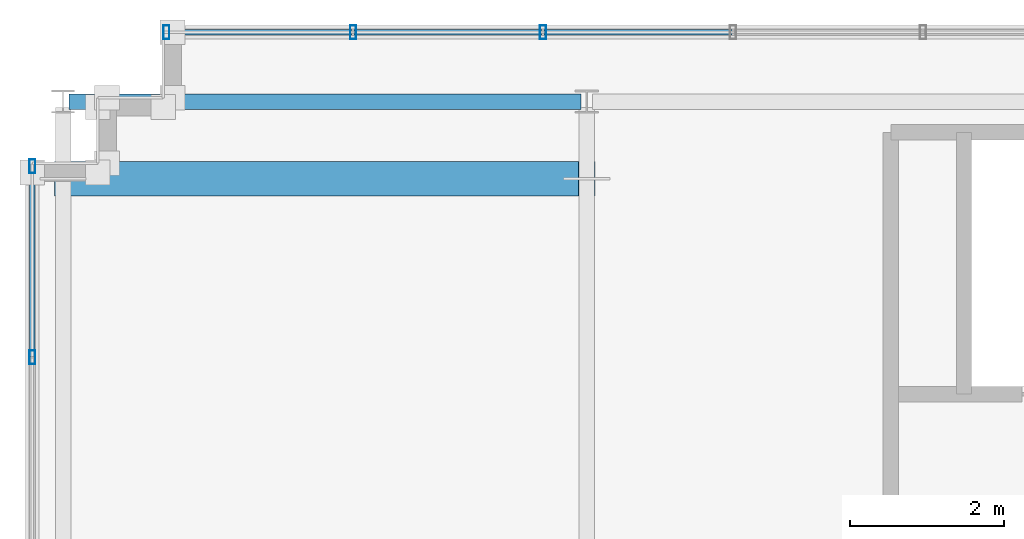
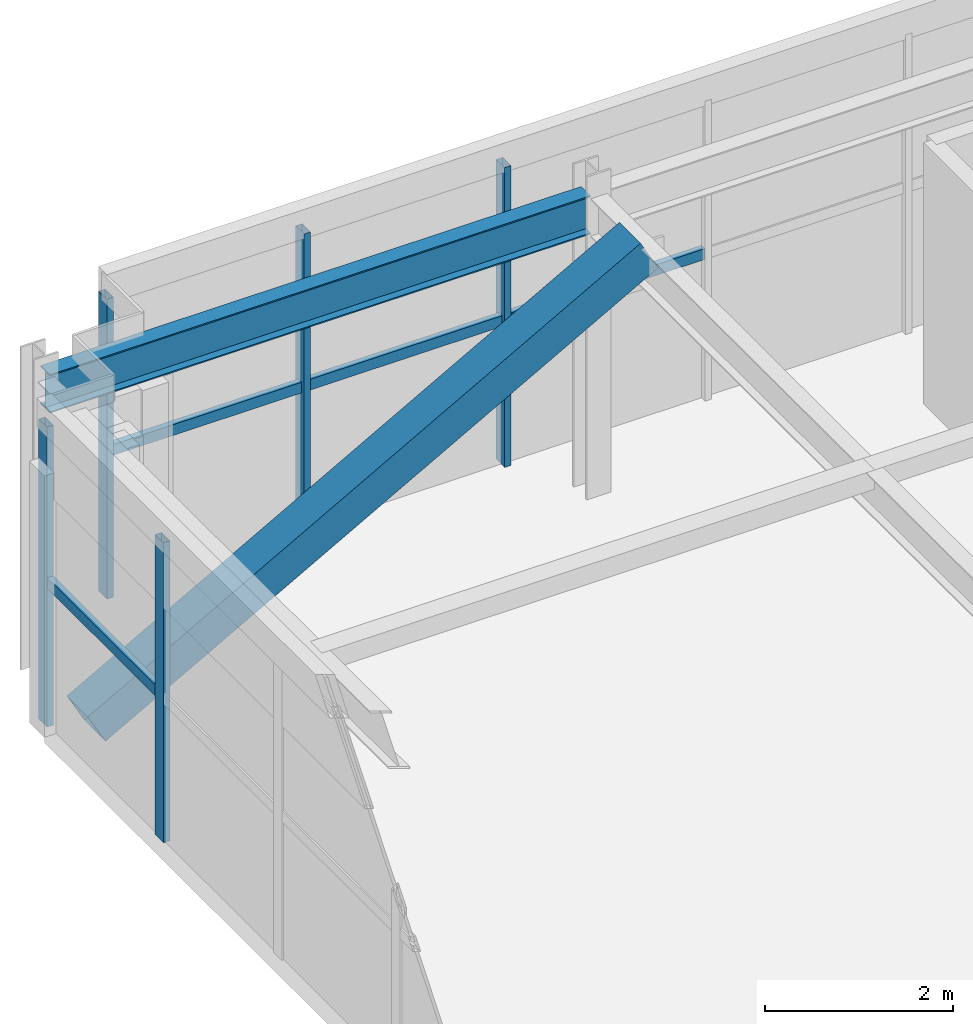
# One storey, part 10 of 25: 10 members, 1 beam, 2 elements without a shape of their own.
"""IFC4 building model written with IfcOpenShell, lengths in metres."""

from ifc_helpers import new_model, si_unit, direction, frame, origin, origin_2d, place, context, subcontext, project, spatial, hollow_rectangle, i_section, extrude, source, transform, mapped, material, material_profile, profile_set, type_object, element, aggregate, save


model = new_model("IFC4")

# Units and contexts
model_context = context("Model", 3, precision=1e-05, world=origin(), true_north=direction((0.0, 1.0)))
body_context = subcontext(model_context, "Body", "Model", "MODEL_VIEW")
ifc_project = project(units=[si_unit("LENGTHUNIT", "METRE"), si_unit("AREAUNIT", "SQUARE_METRE"), si_unit("VOLUMEUNIT", "CUBIC_METRE"), si_unit("PLANEANGLEUNIT", "RADIAN"), si_unit("MASSUNIT", "GRAM", prefix="KILO")], contexts=[model_context])

# Site, building, storey
site_placement = place(None, origin())
site = spatial("IfcSite", under=ifc_project, at=site_placement, CompositionType="ELEMENT")
building_placement = place(site_placement, origin())
building = spatial("IfcBuilding", under=site, at=building_placement, Name="Trelvane Seafront Commons", CompositionType="ELEMENT")
storey_placement = place(building_placement, frame((0.0, 0.0, 320.89990234375)))
storey = spatial("IfcBuildingStorey", under=building, at=storey_placement, Name="L83", CompositionType="ELEMENT", Elevation=320.89990234375)

# Beam
ifc_material_1 = material(Name="Steel SM355 (S355)", Category="steel")
ifc_material_profile_1 = material_profile(ifc_material_1, i_section(OverallWidth=0.199951171875, OverallDepth=0.5, WebThickness=0.010009765625, FlangeThickness=0.01611328125, at=origin_2d()), Name="H-500x200x10x16")
ifc_profile_set_1 = profile_set([ifc_material_profile_1], Name="Steel SM355 (S355)")
beam_type = type_object("IfcBeamType", Name="STR-CROWN-FRAME-RING", PredefinedType="SPANDREL", material=ifc_profile_set_1)
shared_shape_1 = source(origin(), body_context, "Body", "SweptSolid", [
    extrude(i_section(OverallWidth=0.199951171875, OverallDepth=0.5, WebThickness=0.010009765625, FlangeThickness=0.01611328125, at=origin_2d()), origin(), (0.0, 0.0, 1.0), 6.64990234375),
])
beam_placement = place(storey_placement, frame((8.875, 45.10009765625, 3.650146484375), z_axis=(1.0, 0.0, 0.0), x_axis=(0.0, 1.0, 0.0)))
element("IfcBeam", 1, at=beam_placement, inside=storey, type_object=beam_type, Name="L83 CROWN FRAME Ring Beam G-09", PredefinedType="SPANDREL", context=body_context, shape_type="MappedRepresentation", body=[
    mapped(shared_shape_1, transform((0.0, 0.0, 0.0), x_axis=(1.0, 0.0, 0.0), y_axis=(0.0, 1.0, 0.0), z_axis=(0.0, 0.0, 1.0), scale=1.0)),
])

# Member
ifc_material_profile_2 = material_profile(ifc_material_1, hollow_rectangle(XDim=0.449951171875, YDim=0.449951171875, WallThickness=0.02001953125, at=origin_2d()), Name="RHS-450x450x20")
ifc_profile_set_2 = profile_set([ifc_material_profile_2], Name="Steel SM355 (S355)")
member_type_1 = type_object("IfcMemberType", Name="STR-BRC-RHS450", PredefinedType="BRACE", material=ifc_profile_set_2)
shared_shape_2 = source(origin(), body_context, "Body", "SweptSolid", [
    extrude(hollow_rectangle(XDim=0.449951171875, YDim=0.449951171875, WallThickness=0.02001953125, at=origin_2d()), origin(), (0.0, 0.0, 1.0), 7.780029296875),
])
member_1_placement = place(storey_placement, frame((8.800048828125, 44.10009765625, 0.0), z_axis=(0.874035872135, 0.0, 0.485861394043), x_axis=(0.0, 1.0, 0.0)))
element("IfcMember", 2, at=member_1_placement, inside=storey, type_object=member_type_1, Name="L83 CROWN FRAME Diagonal Brace CW", PredefinedType="BRACE", context=body_context, shape_type="MappedRepresentation", body=[
    mapped(shared_shape_2, transform((0.0, 0.0, 0.0), x_axis=(1.0, 0.0, 0.0), y_axis=(0.0, 1.0, 0.0), z_axis=(0.0, 0.0, 1.0), scale=1.0)),
])

# Curtain wall, members
ifc_material_2 = material(Name="Anodised pale-silver aluminium", Category="aluminium")
curtain_wall_type = type_object("IfcCurtainWallType", Name="ARCH-CW6-CROWN", PredefinedType="NOTDEFINED", material=ifc_material_2)
curtain_wall_1_placement = place(storey_placement, origin())
curtain_wall_1 = element("IfcCurtainWall", 3, at=curtain_wall_1_placement, inside=storey, type_object=curtain_wall_type, Name="CW-L83-0160", PredefinedType="NOTDEFINED")
ifc_material_profile_3 = material_profile(ifc_material_2, hollow_rectangle(XDim=0.080078125, YDim=0.179931640625, WallThickness=0.00439453125, at=origin_2d()), Name="MULL-80x180x4.5")
ifc_profile_set_3 = profile_set([ifc_material_profile_3], Name="Anodised pale-silver aluminium")
member_type_2 = type_object("IfcMemberType", Name="ARCH-CW-MULL-180", PredefinedType="MULLION", material=ifc_profile_set_3)
shared_shape_3 = source(origin(), body_context, "Body", "SweptSolid", [
    extrude(hollow_rectangle(XDim=0.080078125, YDim=0.179931640625, WallThickness=0.00439453125, at=origin_2d()), origin(), (0.0, 0.0, 1.0), 3.900146484375),
])
member_2_placement = place(storey_placement, frame((8.39990234375, 41.780029296875, 0.0), z_axis=(0.0, 0.0, 1.0), x_axis=(1.0, 0.0, 0.0)))
member_2 = element("IfcMember", 4, at=member_2_placement, type_object=member_type_2, Name="CW-L83-0160-M09", PredefinedType="MULLION", context=body_context, shape_type="MappedRepresentation", body=[
    mapped(shared_shape_3, transform((0.0, 0.0, 0.0), x_axis=(1.0, 0.0, 0.0), y_axis=(0.0, 1.0, 0.0), z_axis=(0.0, 0.0, 1.0), scale=1.0)),
])
member_3_placement = place(storey_placement, frame((8.39990234375, 44.260009765625, 0.0), z_axis=(0.0, 0.0, 1.0), x_axis=(1.0, 0.0, 0.0)))
member_3 = element("IfcMember", 5, at=member_3_placement, type_object=member_type_2, Name="CW-L83-0160-M10", PredefinedType="MULLION", context=body_context, shape_type="MappedRepresentation", body=[
    mapped(shared_shape_3, transform((0.0, 0.0, 0.0), x_axis=(1.0, 0.0, 0.0), y_axis=(0.0, 1.0, 0.0), z_axis=(0.0, 0.0, 1.0), scale=1.0)),
])

curtain_wall_2_placement = place(storey_placement, origin())
curtain_wall_2 = element("IfcCurtainWall", 6, at=curtain_wall_2_placement, inside=storey, type_object=curtain_wall_type, Name="CW-L83-0161", PredefinedType="NOTDEFINED")
member_4_placement = place(storey_placement, frame((10.139892578125, 46.0, 0.0), z_axis=(0.0, 0.0, 1.0), x_axis=(1.0, 0.0, 0.0)))
member_4 = element("IfcMember", 7, at=member_4_placement, type_object=member_type_2, Name="CW-L83-0161-M00", PredefinedType="MULLION", context=body_context, shape_type="MappedRepresentation", body=[
    mapped(shared_shape_3, transform((0.0, 0.0, 0.0), x_axis=(1.0, 0.0, 0.0), y_axis=(0.0, 1.0, 0.0), z_axis=(0.0, 0.0, 1.0), scale=1.0)),
])
member_5_placement = place(storey_placement, frame((12.566650390625, 46.0, 0.0), z_axis=(0.0, 0.0, 1.0), x_axis=(1.0, 0.0, 0.0)))
member_5 = element("IfcMember", 8, at=member_5_placement, type_object=member_type_2, Name="CW-L83-0161-M01", PredefinedType="MULLION", context=body_context, shape_type="MappedRepresentation", body=[
    mapped(shared_shape_3, transform((0.0, 0.0, 0.0), x_axis=(1.0, 0.0, 0.0), y_axis=(0.0, 1.0, 0.0), z_axis=(0.0, 0.0, 1.0), scale=1.0)),
])
member_6_placement = place(storey_placement, frame((15.033203125, 46.0, 0.0), z_axis=(0.0, 0.0, 1.0), x_axis=(1.0, 0.0, 0.0)))
member_6 = element("IfcMember", 9, at=member_6_placement, type_object=member_type_2, Name="CW-L83-0161-M02", PredefinedType="MULLION", context=body_context, shape_type="MappedRepresentation", body=[
    mapped(shared_shape_3, transform((0.0, 0.0, 0.0), x_axis=(1.0, 0.0, 0.0), y_axis=(0.0, 1.0, 0.0), z_axis=(0.0, 0.0, 1.0), scale=1.0)),
])

# Member
ifc_material_profile_4 = material_profile(ifc_material_2, hollow_rectangle(XDim=0.074951171875, YDim=0.139892578125, WallThickness=0.00390625, at=origin_2d()), Name="TRAN-75x140x4")
ifc_profile_set_4 = profile_set([ifc_material_profile_4], Name="Anodised pale-silver aluminium")
member_type_3 = type_object("IfcMemberType", Name="ARCH-CW-TRAN-140", PredefinedType="USERDEFINED", material=ifc_profile_set_4)
shared_shape_4 = source(origin(), body_context, "Body", "SweptSolid", [
    extrude(hollow_rectangle(XDim=0.074951171875, YDim=0.139892578125, WallThickness=0.00390625, at=origin_2d()), origin(), (0.0, 0.0, 1.0), 2.49609375),
])
member_7_placement = place(storey_placement, frame((8.39990234375, 41.7919921875, 1.8720703125), z_axis=(0.0, 1.0, 0.0), x_axis=(-1.0, 0.0, 0.0)))
member_7 = element("IfcMember", 10, at=member_7_placement, type_object=member_type_3, Name="CW-L83-0160-T09", ObjectType="TRANSOM", PredefinedType="USERDEFINED", context=body_context, shape_type="MappedRepresentation", body=[
    mapped(shared_shape_4, transform((0.0, 0.0, 0.0), x_axis=(1.0, 0.0, 0.0), y_axis=(0.0, 1.0, 0.0), z_axis=(0.0, 0.0, 1.0), scale=1.0)),
])

aggregate(curtain_wall_1, [member_2, member_3, member_7])

shared_shape_5 = source(origin(), body_context, "Body", "SweptSolid", [
    extrude(hollow_rectangle(XDim=0.074951171875, YDim=0.139892578125, WallThickness=0.00390625, at=origin_2d()), origin(), (0.0, 0.0, 1.0), 2.442626953125),
])
member_8_placement = place(storey_placement, frame((10.112060546875, 46.0, 1.8720703125), z_axis=(1.0, 0.0, 0.0), x_axis=(0.0, 1.0, 0.0)))
member_8 = element("IfcMember", 11, at=member_8_placement, type_object=member_type_3, Name="CW-L83-0161-T00", ObjectType="TRANSOM", PredefinedType="USERDEFINED", context=body_context, shape_type="MappedRepresentation", body=[
    mapped(shared_shape_5, transform((0.0, 0.0, 0.0), x_axis=(1.0, 0.0, 0.0), y_axis=(0.0, 1.0, 0.0), z_axis=(0.0, 0.0, 1.0), scale=1.0)),
])

member_9_placement = place(storey_placement, frame((12.57861328125, 46.0, 1.8720703125), z_axis=(1.0, 0.0, 0.0), x_axis=(0.0, 1.0, 0.0)))
member_9 = element("IfcMember", 12, at=member_9_placement, type_object=member_type_3, Name="CW-L83-0161-T01", ObjectType="TRANSOM", PredefinedType="USERDEFINED", context=body_context, shape_type="MappedRepresentation", body=[
    mapped(shared_shape_5, transform((0.0, 0.0, 0.0), x_axis=(1.0, 0.0, 0.0), y_axis=(0.0, 1.0, 0.0), z_axis=(0.0, 0.0, 1.0), scale=1.0)),
])

member_10_placement = place(storey_placement, frame((15.04541015625, 46.0, 1.8720703125), z_axis=(1.0, 0.0, 0.0), x_axis=(0.0, 1.0, 0.0)))
member_10 = element("IfcMember", 13, at=member_10_placement, type_object=member_type_3, Name="CW-L83-0161-T02", ObjectType="TRANSOM", PredefinedType="USERDEFINED", context=body_context, shape_type="MappedRepresentation", body=[
    mapped(shared_shape_5, transform((0.0, 0.0, 0.0), x_axis=(1.0, 0.0, 0.0), y_axis=(0.0, 1.0, 0.0), z_axis=(0.0, 0.0, 1.0), scale=1.0)),
])

aggregate(curtain_wall_2, [member_4, member_5, member_6, member_8, member_9, member_10])

save(model, "model.ifc")
